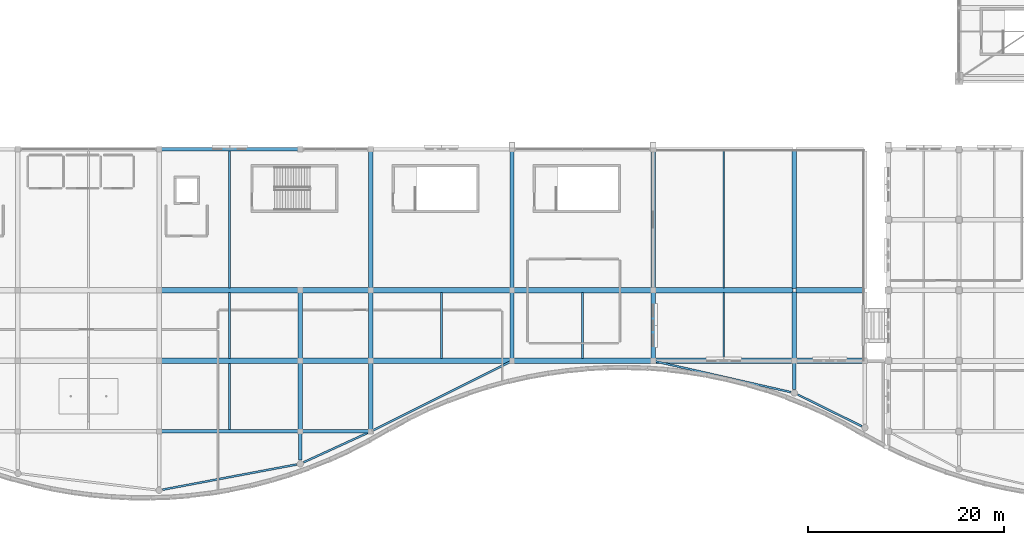
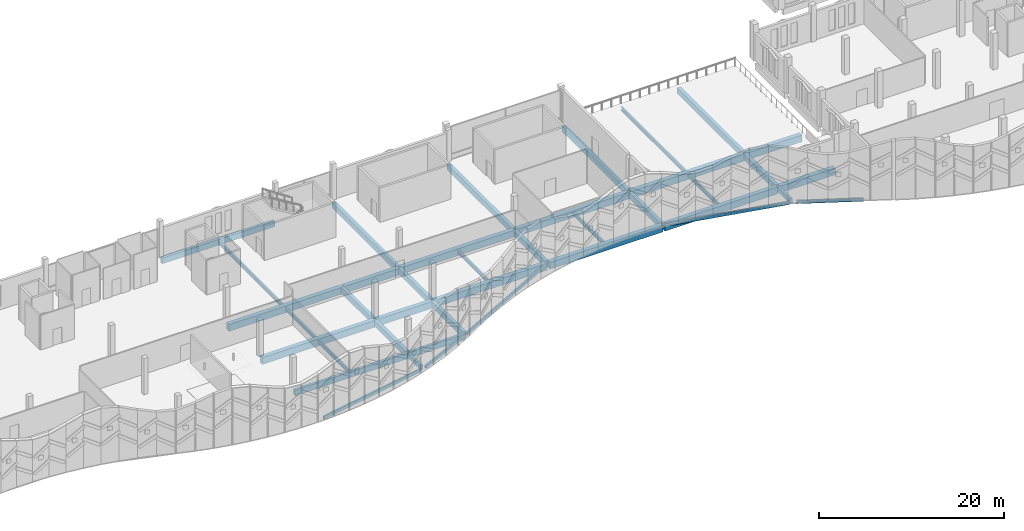
# One storey, part 18 of 116: 40 beams.
"""IFC4 building model written with IfcOpenShell, lengths in metres."""

from ifc_helpers import new_model, si_unit, direction, frame, origin, origin_2d, place, context, subcontext, project, spatial, rectangle, hollow_rectangle, i_section, extrude, material, material_profile, profile_set, type_object, element, save


model = new_model("IFC4")

# Units and contexts
model_context = context("Model", 3, precision=1e-05, world=origin(), true_north=direction((0.0, 1.0)))
body_context = subcontext(model_context, "Body", "Model", "MODEL_VIEW")
ifc_project = project(units=[si_unit("LENGTHUNIT", "METRE"), si_unit("AREAUNIT", "SQUARE_METRE"), si_unit("VOLUMEUNIT", "CUBIC_METRE"), si_unit("PLANEANGLEUNIT", "RADIAN"), si_unit("MASSUNIT", "GRAM", prefix="KILO")], contexts=[model_context])

# Site, building, storey
site_placement = place(None, origin())
site = spatial("IfcSite", under=ifc_project, at=site_placement, CompositionType="ELEMENT")
building_placement = place(site_placement, origin())
building = spatial("IfcBuilding", under=site, at=building_placement, Name="Cendralis Lancet Convention Centre", CompositionType="ELEMENT")
storey_placement = place(building_placement, frame((0.0, 0.0, 15.0)))
storey = spatial("IfcBuildingStorey", under=building, at=storey_placement, Name="L03", CompositionType="ELEMENT", Elevation=15.0)

# Beams
ifc_material_1 = material(Name="Concrete G40 (C40/50)", Category="concrete")
ifc_material_profile_1 = material_profile(ifc_material_1, rectangle(XDim=0.550048828125, YDim=0.89990234375, at=origin_2d()), Name="RCB 550x900")
ifc_profile_set_1 = profile_set([ifc_material_profile_1], Name="Concrete G40 (C40/50)")
beam_type_1 = type_object("IfcBeamType", Name="STR-BM-BG06", PredefinedType="BEAM", material=ifc_profile_set_1)
beam_1_placement = place(storey_placement, frame((57.75, 14.39990234375, -0.7099609375), z_axis=(1.0, 0.0, 0.0), x_axis=(0.0, 1.0, 0.0)))
element("IfcBeam", 1, at=beam_1_placement, inside=storey, type_object=beam_type_1, Name="L03 Beam BG06 #0906", PredefinedType="BEAM", context=body_context, shape_type="SweptSolid", body=[
    extrude(rectangle(XDim=0.550048828125, YDim=0.89990234375, at=origin_2d()), origin(), (0.0, 0.0, 1.0), 14.10009765625),
])
beam_2_placement = place(storey_placement, frame((72.14990234375, 14.39990234375, -0.7099609375), z_axis=(1.0, 0.0, 0.0), x_axis=(0.0, 1.0, 0.0)))
element("IfcBeam", 2, at=beam_2_placement, inside=storey, type_object=beam_type_1, Name="L03 Beam BG06 #0907", PredefinedType="BEAM", context=body_context, shape_type="SweptSolid", body=[
    extrude(rectangle(XDim=0.550048828125, YDim=0.89990234375, at=origin_2d()), origin(), (0.0, 0.0, 1.0), 6.900146484375),
])
beam_3_placement = place(storey_placement, frame((79.35009765625, 14.39990234375, -0.7099609375), z_axis=(1.0, 0.0, 0.0), x_axis=(0.0, 1.0, 0.0)))
element("IfcBeam", 3, at=beam_3_placement, inside=storey, type_object=beam_type_1, Name="L03 Beam BG06 #0908", PredefinedType="BEAM", context=body_context, shape_type="SweptSolid", body=[
    extrude(rectangle(XDim=0.550048828125, YDim=0.89990234375, at=origin_2d()), origin(), (0.0, 0.0, 1.0), 14.099853515625),
])
for number, where, z_axis, x_axis, name in (
    (4, (93.75, 14.39990234375, -0.7099609375), (1.0, 0.0, 0.0), (0.0, 1.0, 0.0), "L03 Beam BG06 #0909"),
    (5, (108.14990234375, 14.39990234375, -0.7099609375), (1.0, 0.0, 0.0), (0.0, 1.0, 0.0), "L03 Beam BG06 #0910"),
):
    element("IfcBeam", number, at=place(storey_placement, frame(where, z_axis=z_axis, x_axis=x_axis)), inside=storey, type_object=beam_type_1, Name=name, PredefinedType="BEAM", context=body_context, shape_type="SweptSolid", body=[
        extrude(rectangle(XDim=0.550048828125, YDim=0.89990234375, at=origin_2d()), origin(), (0.0, 0.0, 1.0), 14.10009765625),
    ])
beam_4_placement = place(storey_placement, frame((122.550048828125, 14.39990234375, -0.7099609375), z_axis=(1.0, 0.0, 0.0), x_axis=(0.0, 1.0, 0.0)))
element("IfcBeam", 6, at=beam_4_placement, inside=storey, type_object=beam_type_1, Name="L03 Beam BG06 #0911", PredefinedType="BEAM", context=body_context, shape_type="SweptSolid", body=[
    extrude(rectangle(XDim=0.550048828125, YDim=0.89990234375, at=origin_2d()), origin(), (0.0, 0.0, 1.0), 6.89990234375),
])
beam_5_placement = place(storey_placement, frame((57.75, 21.60009765625, -0.7099609375), z_axis=(1.0, 0.0, 0.0), x_axis=(0.0, 1.0, 0.0)))
element("IfcBeam", 7, at=beam_5_placement, inside=storey, type_object=beam_type_1, Name="L03 Beam BG06 #0916", PredefinedType="BEAM", context=body_context, shape_type="SweptSolid", body=[
    extrude(rectangle(XDim=0.550048828125, YDim=0.89990234375, at=origin_2d()), origin(), (0.0, 0.0, 1.0), 14.10009765625),
])
beam_6_placement = place(storey_placement, frame((72.14990234375, 21.60009765625, -0.7099609375), z_axis=(1.0, 0.0, 0.0), x_axis=(0.0, 1.0, 0.0)))
element("IfcBeam", 8, at=beam_6_placement, inside=storey, type_object=beam_type_1, Name="L03 Beam BG06 #0917", PredefinedType="BEAM", context=body_context, shape_type="SweptSolid", body=[
    extrude(rectangle(XDim=0.550048828125, YDim=0.89990234375, at=origin_2d()), origin(), (0.0, 0.0, 1.0), 6.900146484375),
])
beam_7_placement = place(storey_placement, frame((79.35009765625, 21.60009765625, -0.7099609375), z_axis=(1.0, 0.0, 0.0), x_axis=(0.0, 1.0, 0.0)))
element("IfcBeam", 9, at=beam_7_placement, inside=storey, type_object=beam_type_1, Name="L03 Beam BG06 #0918", PredefinedType="BEAM", context=body_context, shape_type="SweptSolid", body=[
    extrude(rectangle(XDim=0.550048828125, YDim=0.89990234375, at=origin_2d()), origin(), (0.0, 0.0, 1.0), 14.099853515625),
])
for number, where, z_axis, x_axis, name in (
    (10, (93.75, 21.60009765625, -0.7099609375), (1.0, 0.0, 0.0), (0.0, 1.0, 0.0), "L03 Beam BG06 #0919"),
    (11, (108.14990234375, 21.60009765625, -0.7099609375), (1.0, 0.0, 0.0), (0.0, 1.0, 0.0), "L03 Beam BG06 #0920"),
):
    element("IfcBeam", number, at=place(storey_placement, frame(where, z_axis=z_axis, x_axis=x_axis)), inside=storey, type_object=beam_type_1, Name=name, PredefinedType="BEAM", context=body_context, shape_type="SweptSolid", body=[
        extrude(rectangle(XDim=0.550048828125, YDim=0.89990234375, at=origin_2d()), origin(), (0.0, 0.0, 1.0), 14.10009765625),
    ])
beam_8_placement = place(storey_placement, frame((122.550048828125, 21.60009765625, -0.7099609375), z_axis=(1.0, 0.0, 0.0), x_axis=(0.0, 1.0, 0.0)))
element("IfcBeam", 12, at=beam_8_placement, inside=storey, type_object=beam_type_1, Name="L03 Beam BG06 #0921", PredefinedType="BEAM", context=body_context, shape_type="SweptSolid", body=[
    extrude(rectangle(XDim=0.550048828125, YDim=0.89990234375, at=origin_2d()), origin(), (0.0, 0.0, 1.0), 6.89990234375),
])
ifc_material_2 = material(Name="Concrete G35 (C35/45)", Category="concrete")
ifc_material_profile_2 = material_profile(ifc_material_2, rectangle(XDim=0.449951171875, YDim=0.75, at=origin_2d()), Name="RCB 450x750")
ifc_profile_set_2 = profile_set([ifc_material_profile_2], Name="Concrete G35 (C35/45)")
beam_type_2 = type_object("IfcBeamType", Name="STR-BM-BG11", PredefinedType="BEAM", material=ifc_profile_set_2)
beam_9_placement = place(storey_placement, frame((72.0, 7.3798828125, -0.635009765625), z_axis=(0.0, 1.0, 0.0), x_axis=(-1.0, 0.0, 0.0)))
element("IfcBeam", 13, at=beam_9_placement, inside=storey, type_object=beam_type_2, Name="L03 Beam BG11 #0946", PredefinedType="BEAM", context=body_context, shape_type="SweptSolid", body=[
    extrude(rectangle(XDim=0.449951171875, YDim=0.75, at=origin_2d()), origin(), (0.0, 0.0, 1.0), 6.840087890625),
])
beam_10_placement = place(storey_placement, frame((72.0, 14.580078125, -0.635009765625), z_axis=(0.0, 1.0, 0.0), x_axis=(-1.0, 0.0, 0.0)))
element("IfcBeam", 14, at=beam_10_placement, inside=storey, type_object=beam_type_2, Name="L03 Beam BG11 #0947", PredefinedType="BEAM", context=body_context, shape_type="SweptSolid", body=[
    extrude(rectangle(XDim=0.449951171875, YDim=0.75, at=origin_2d()), origin(), (0.0, 0.0, 1.0), 6.83984375),
])
beam_11_placement = place(storey_placement, frame((79.199951171875, 7.3798828125, -0.635009765625), z_axis=(0.0, 1.0, 0.0), x_axis=(-1.0, 0.0, 0.0)))
element("IfcBeam", 15, at=beam_11_placement, inside=storey, type_object=beam_type_2, Name="L03 Beam BG11 #0948", PredefinedType="BEAM", context=body_context, shape_type="SweptSolid", body=[
    extrude(rectangle(XDim=0.449951171875, YDim=0.75, at=origin_2d()), origin(), (0.0, 0.0, 1.0), 6.840087890625),
])
beam_12_placement = place(storey_placement, frame((79.199951171875, 14.580078125, -0.635009765625), z_axis=(0.0, 1.0, 0.0), x_axis=(-1.0, 0.0, 0.0)))
element("IfcBeam", 16, at=beam_12_placement, inside=storey, type_object=beam_type_2, Name="L03 Beam BG11 #0949", PredefinedType="BEAM", context=body_context, shape_type="SweptSolid", body=[
    extrude(rectangle(XDim=0.449951171875, YDim=0.75, at=origin_2d()), origin(), (0.0, 0.0, 1.0), 6.83984375),
])
beam_13_placement = place(storey_placement, frame((79.199951171875, 21.780029296875, -0.635009765625), z_axis=(0.0, 1.0, 0.0), x_axis=(-1.0, 0.0, 0.0)))
element("IfcBeam", 17, at=beam_13_placement, inside=storey, type_object=beam_type_2, Name="L03 Beam BG11 #0950", PredefinedType="BEAM", context=body_context, shape_type="SweptSolid", body=[
    extrude(rectangle(XDim=0.449951171875, YDim=0.75, at=origin_2d()), origin(), (0.0, 0.0, 1.0), 14.0400390625),
])
beam_14_placement = place(storey_placement, frame((93.60009765625, 14.580078125, -0.635009765625), z_axis=(0.0, 1.0, 0.0), x_axis=(-1.0, 0.0, 0.0)))
element("IfcBeam", 18, at=beam_14_placement, inside=storey, type_object=beam_type_2, Name="L03 Beam BG11 #0951", PredefinedType="BEAM", context=body_context, shape_type="SweptSolid", body=[
    extrude(rectangle(XDim=0.449951171875, YDim=0.75, at=origin_2d()), origin(), (0.0, 0.0, 1.0), 6.83984375),
])
beam_15_placement = place(storey_placement, frame((93.60009765625, 21.780029296875, -0.635009765625), z_axis=(0.0, 1.0, 0.0), x_axis=(-1.0, 0.0, 0.0)))
element("IfcBeam", 19, at=beam_15_placement, inside=storey, type_object=beam_type_2, Name="L03 Beam BG11 #0952", PredefinedType="BEAM", context=body_context, shape_type="SweptSolid", body=[
    extrude(rectangle(XDim=0.449951171875, YDim=0.75, at=origin_2d()), origin(), (0.0, 0.0, 1.0), 14.0400390625),
])
beam_16_placement = place(storey_placement, frame((108.0, 14.580078125, -0.635009765625), z_axis=(0.0, 1.0, 0.0), x_axis=(-1.0, 0.0, 0.0)))
element("IfcBeam", 20, at=beam_16_placement, inside=storey, type_object=beam_type_2, Name="L03 Beam BG11 #0953", PredefinedType="BEAM", context=body_context, shape_type="SweptSolid", body=[
    extrude(rectangle(XDim=0.449951171875, YDim=0.75, at=origin_2d()), origin(), (0.0, 0.0, 1.0), 6.83984375),
])
beam_17_placement = place(storey_placement, frame((108.0, 21.780029296875, -0.635009765625), z_axis=(0.0, 1.0, 0.0), x_axis=(-1.0, 0.0, 0.0)))
element("IfcBeam", 21, at=beam_17_placement, inside=storey, type_object=beam_type_2, Name="L03 Beam BG11 #0954", PredefinedType="BEAM", context=body_context, shape_type="SweptSolid", body=[
    extrude(rectangle(XDim=0.449951171875, YDim=0.75, at=origin_2d()), origin(), (0.0, 0.0, 1.0), 14.0400390625),
])
beam_18_placement = place(storey_placement, frame((122.39990234375, 14.580078125, -0.635009765625), z_axis=(0.0, 1.0, 0.0), x_axis=(-1.0, 0.0, 0.0)))
element("IfcBeam", 22, at=beam_18_placement, inside=storey, type_object=beam_type_2, Name="L03 Beam BG11 #0955", PredefinedType="BEAM", context=body_context, shape_type="SweptSolid", body=[
    extrude(rectangle(XDim=0.449951171875, YDim=0.75, at=origin_2d()), origin(), (0.0, 0.0, 1.0), 6.83984375),
])
beam_19_placement = place(storey_placement, frame((122.39990234375, 21.780029296875, -0.635009765625), z_axis=(0.0, 1.0, 0.0), x_axis=(-1.0, 0.0, 0.0)))
element("IfcBeam", 23, at=beam_19_placement, inside=storey, type_object=beam_type_2, Name="L03 Beam BG11 #0956", PredefinedType="BEAM", context=body_context, shape_type="SweptSolid", body=[
    extrude(rectangle(XDim=0.449951171875, YDim=0.75, at=origin_2d()), origin(), (0.0, 0.0, 1.0), 14.0400390625),
])
ifc_material_profile_3 = material_profile(ifc_material_2, rectangle(XDim=0.35009765625, YDim=0.60009765625, at=origin_2d()), Name="RCB 350x600")
ifc_profile_set_3 = profile_set([ifc_material_profile_3], Name="Concrete G35 (C35/45)")
beam_type_3 = type_object("IfcBeamType", Name="STR-BM-BG16", PredefinedType="BEAM", material=ifc_profile_set_3)
beam_20_placement = place(storey_placement, frame((72.0, 4.27294921875, -0.56005859375), z_axis=(0.0, 1.0, 0.0), x_axis=(-1.0, 0.0, 0.0)))
element("IfcBeam", 24, at=beam_20_placement, inside=storey, type_object=beam_type_3, Name="L03 Beam BG16 #1104", PredefinedType="BEAM", context=body_context, shape_type="SweptSolid", body=[
    extrude(rectangle(XDim=0.35009765625, YDim=0.60009765625, at=origin_2d()), origin(), (0.0, 0.0, 1.0), 2.7470703125),
])
beam_21_placement = place(storey_placement, frame((122.39990234375, 11.501953125, -0.56005859375), z_axis=(0.0, 1.0, 0.0), x_axis=(-1.0, 0.0, 0.0)))
element("IfcBeam", 25, at=beam_21_placement, inside=storey, type_object=beam_type_3, Name="L03 Beam BG16 #1105", PredefinedType="BEAM", context=body_context, shape_type="SweptSolid", body=[
    extrude(rectangle(XDim=0.35009765625, YDim=0.60009765625, at=origin_2d()), origin(), (0.0, 0.0, 1.0), 2.718017578125),
])
ifc_material_3 = material(Name="Steel S355", Category="steel")
ifc_material_profile_4 = material_profile(ifc_material_3, i_section(OverallWidth=0.199951171875, OverallDepth=0.5, WebThickness=0.01025390625, FlangeThickness=0.01611328125, FilletRadius=0.02099609375, at=origin_2d()), Name="IPE 500")
ifc_profile_set_4 = profile_set([ifc_material_profile_4], Name="Steel S355")
beam_type_4 = type_object("IfcBeamType", Name="STR-JS-BJ06", PredefinedType="JOIST", material=ifc_profile_set_4)
beam_22_placement = place(storey_placement, frame((64.800048828125, 7.375, -0.510009765625), z_axis=(0.0, 1.0, 0.0), x_axis=(-1.0, 0.0, 0.0)))
element("IfcBeam", 26, at=beam_22_placement, inside=storey, type_object=beam_type_4, Name="L03 Beam BJ06 #0969", PredefinedType="JOIST", context=body_context, shape_type="SweptSolid", body=[
    extrude(i_section(OverallWidth=0.199951171875, OverallDepth=0.5, WebThickness=0.01025390625, FlangeThickness=0.01611328125, FilletRadius=0.02099609375, at=origin_2d()), origin(), (0.0, 0.0, 1.0), 6.77490234375),
])
beam_23_placement = place(storey_placement, frame((64.800048828125, 14.64990234375, -0.510009765625), z_axis=(0.0, 1.0, 0.0), x_axis=(-1.0, 0.0, 0.0)))
element("IfcBeam", 27, at=beam_23_placement, inside=storey, type_object=beam_type_4, Name="L03 Beam BJ06 #0970", PredefinedType="JOIST", context=body_context, shape_type="SweptSolid", body=[
    extrude(i_section(OverallWidth=0.199951171875, OverallDepth=0.5, WebThickness=0.01025390625, FlangeThickness=0.01611328125, FilletRadius=0.02099609375, at=origin_2d()), origin(), (0.0, 0.0, 1.0), 6.7001953125),
])
beam_24_placement = place(storey_placement, frame((64.800048828125, 21.85009765625, -0.510009765625), z_axis=(0.0, 1.0, 0.0), x_axis=(-1.0, 0.0, 0.0)))
element("IfcBeam", 28, at=beam_24_placement, inside=storey, type_object=beam_type_4, Name="L03 Beam BJ06 #0971", PredefinedType="JOIST", context=body_context, shape_type="SweptSolid", body=[
    extrude(i_section(OverallWidth=0.199951171875, OverallDepth=0.5, WebThickness=0.01025390625, FlangeThickness=0.01611328125, FilletRadius=0.02099609375, at=origin_2d()), origin(), (0.0, 0.0, 1.0), 13.974853515625),
])
for number, where, z_axis, x_axis, name in (
    (29, (86.39990234375, 14.64990234375, -0.510009765625), (0.0, 1.0, 0.0), (-1.0, 0.0, 0.0), "L03 Beam BJ06 #0972"),
    (30, (100.800048828125, 14.64990234375, -0.510009765625), (0.0, 1.0, 0.0), (-1.0, 0.0, 0.0), "L03 Beam BJ06 #0973"),
    (31, (115.199951171875, 14.64990234375, -0.510009765625), (0.0, 1.0, 0.0), (-1.0, 0.0, 0.0), "L03 Beam BJ06 #0974"),
):
    element("IfcBeam", number, at=place(storey_placement, frame(where, z_axis=z_axis, x_axis=x_axis)), inside=storey, type_object=beam_type_4, Name=name, PredefinedType="JOIST", context=body_context, shape_type="SweptSolid", body=[
        extrude(i_section(OverallWidth=0.199951171875, OverallDepth=0.5, WebThickness=0.01025390625, FlangeThickness=0.01611328125, FilletRadius=0.02099609375, at=origin_2d()), origin(), (0.0, 0.0, 1.0), 6.7001953125),
    ])
beam_25_placement = place(storey_placement, frame((115.199951171875, 21.85009765625, -0.510009765625), z_axis=(0.0, 1.0, 0.0), x_axis=(-1.0, 0.0, 0.0)))
element("IfcBeam", 32, at=beam_25_placement, inside=storey, type_object=beam_type_4, Name="L03 Beam BJ06 #0975", PredefinedType="JOIST", context=body_context, shape_type="SweptSolid", body=[
    extrude(i_section(OverallWidth=0.199951171875, OverallDepth=0.5, WebThickness=0.01025390625, FlangeThickness=0.01611328125, FilletRadius=0.02099609375, at=origin_2d()), origin(), (0.0, 0.0, 1.0), 13.974853515625),
])
ifc_material_profile_5 = material_profile(ifc_material_1, rectangle(XDim=0.35009765625, YDim=0.75, at=origin_2d()), Name="RCB 350x750")
ifc_profile_set_5 = profile_set([ifc_material_profile_5], Name="Concrete G40 (C40/50)")
beam_type_5 = type_object("IfcBeamType", Name="STR-SP-SP01", PredefinedType="SPANDREL", material=ifc_profile_set_5)
beam_26_placement = place(storey_placement, frame((57.75, 7.199951171875, -0.635009765625), z_axis=(1.0, 0.0, 0.0), x_axis=(0.0, 1.0, 0.0)))
element("IfcBeam", 33, at=beam_26_placement, inside=storey, type_object=beam_type_5, Name="L03 Beam SP01 #0900", PredefinedType="SPANDREL", context=body_context, shape_type="SweptSolid", body=[
    extrude(rectangle(XDim=0.35009765625, YDim=0.75, at=origin_2d()), origin(), (0.0, 0.0, 1.0), 14.10009765625),
])
beam_27_placement = place(storey_placement, frame((72.14990234375, 7.199951171875, -0.635009765625), z_axis=(1.0, 0.0, 0.0), x_axis=(0.0, 1.0, 0.0)))
element("IfcBeam", 34, at=beam_27_placement, inside=storey, type_object=beam_type_5, Name="L03 Beam SP01 #0901", PredefinedType="SPANDREL", context=body_context, shape_type="SweptSolid", body=[
    extrude(rectangle(XDim=0.35009765625, YDim=0.75, at=origin_2d()), origin(), (0.0, 0.0, 1.0), 6.900146484375),
])
beam_28_placement = place(storey_placement, frame((57.75, 36.0, -0.635009765625), z_axis=(1.0, 0.0, 0.0), x_axis=(0.0, 1.0, 0.0)))
element("IfcBeam", 35, at=beam_28_placement, inside=storey, type_object=beam_type_5, Name="L03 Beam SP01 #0926", PredefinedType="SPANDREL", context=body_context, shape_type="SweptSolid", body=[
    extrude(rectangle(XDim=0.35009765625, YDim=0.75, at=origin_2d()), origin(), (0.0, 0.0, 1.0), 14.10009765625),
])
ifc_material_profile_6 = material_profile(ifc_material_3, hollow_rectangle(XDim=0.199951171875, YDim=0.39990234375, WallThickness=0.01416015625, at=origin_2d()), Name="RHS 400x200x14.2")
ifc_profile_set_6 = profile_set([ifc_material_profile_6], Name="Steel S355")
beam_type_6 = type_object("IfcBeamType", Name="STR-SP-SP03", PredefinedType="SPANDREL", material=ifc_profile_set_6)
beam_29_placement = place(storey_placement, frame((57.968505859375, 1.264404296875, -0.4599609375), z_axis=(0.982837376239, 0.184474095385, 0.0), x_axis=(-0.184474095385, 0.982837376239, 0.0)))
element("IfcBeam", 36, at=beam_29_placement, inside=storey, type_object=beam_type_6, Name="L03 Beam SP03 #1116", PredefinedType="SPANDREL", context=body_context, shape_type="SweptSolid", body=[
    extrude(hollow_rectangle(XDim=0.199951171875, YDim=0.39990234375, WallThickness=0.01416015625, at=origin_2d()), origin(), (0.0, 0.0, 1.0), 13.9013671875),
])
beam_30_placement = place(storey_placement, frame((72.3408203125, 4.05419921875, -0.4599609375), z_axis=(0.908966339087, 0.416869517243, 0.0), x_axis=(-0.416869517243, 0.908966339087, 0.0)))
element("IfcBeam", 37, at=beam_30_placement, inside=storey, type_object=beam_type_6, Name="L03 Beam SP03 #1117", PredefinedType="SPANDREL", context=body_context, shape_type="SweptSolid", body=[
    extrude(hollow_rectangle(XDim=0.199951171875, YDim=0.39990234375, WallThickness=0.01416015625, at=origin_2d()), origin(), (0.0, 0.0, 1.0), 7.396240234375),
])
beam_31_placement = place(storey_placement, frame((79.334228515625, 7.26708984375, -0.4599609375), z_axis=(0.894424100523, 0.4472197764, 0.0), x_axis=(-0.4472197764, 0.894424100523, 0.0)))
element("IfcBeam", 38, at=beam_31_placement, inside=storey, type_object=beam_type_6, Name="L03 Beam SP03 #1118", PredefinedType="SPANDREL", context=body_context, shape_type="SweptSolid", body=[
    extrude(hollow_rectangle(XDim=0.199951171875, YDim=0.39990234375, WallThickness=0.01416015625, at=origin_2d()), origin(), (0.0, 0.0, 1.0), 15.799560546875),
])
beam_32_placement = place(storey_placement, frame((108.146240234375, 14.36669921875, -0.4599609375), z_axis=(0.975126961806, -0.22164703553, 0.0), x_axis=(0.22164703553, 0.975126961806, 0.0)))
element("IfcBeam", 39, at=beam_32_placement, inside=storey, type_object=beam_type_6, Name="L03 Beam SP03 #1119", PredefinedType="SPANDREL", context=body_context, shape_type="SweptSolid", body=[
    extrude(hollow_rectangle(XDim=0.199951171875, YDim=0.39990234375, WallThickness=0.01416015625, at=origin_2d()), origin(), (0.0, 0.0, 1.0), 14.2421875),
])
beam_33_placement = place(storey_placement, frame((122.736328125, 10.9609375, -0.4599609375), z_axis=(0.896696206011, -0.442646488889, 0.0), x_axis=(0.442646488889, 0.896696206011, 0.0)))
element("IfcBeam", 40, at=beam_33_placement, inside=storey, type_object=beam_type_6, Name="L03 Beam SP03 #1120", PredefinedType="SPANDREL", context=body_context, shape_type="SweptSolid", body=[
    extrude(hollow_rectangle(XDim=0.199951171875, YDim=0.39990234375, WallThickness=0.01416015625, at=origin_2d()), origin(), (0.0, 0.0, 1.0), 7.279296875),
])

save(model, "model.ifc")
